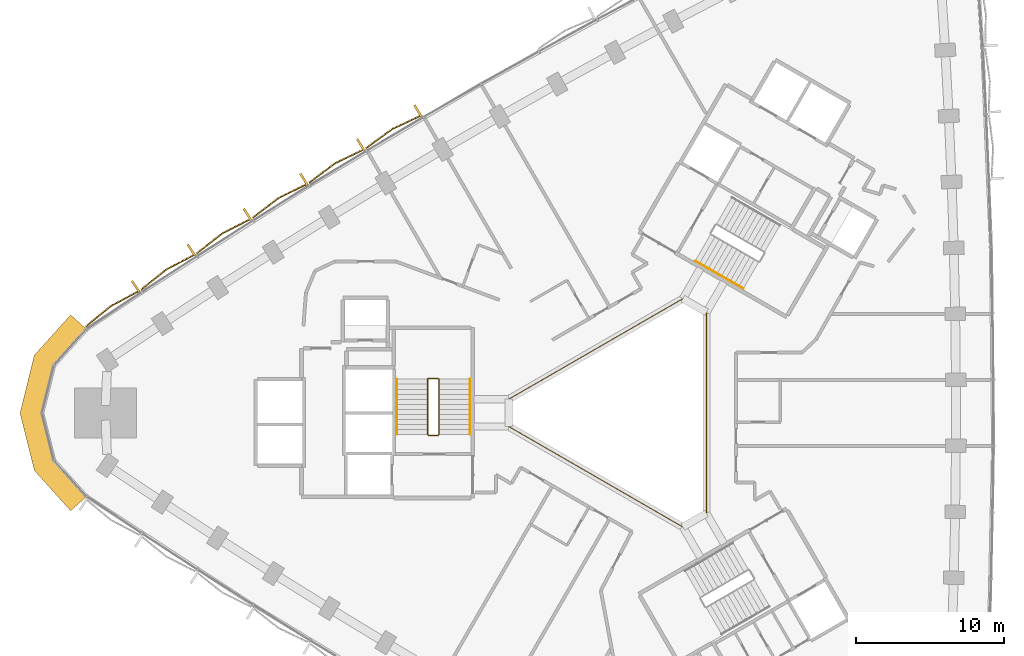
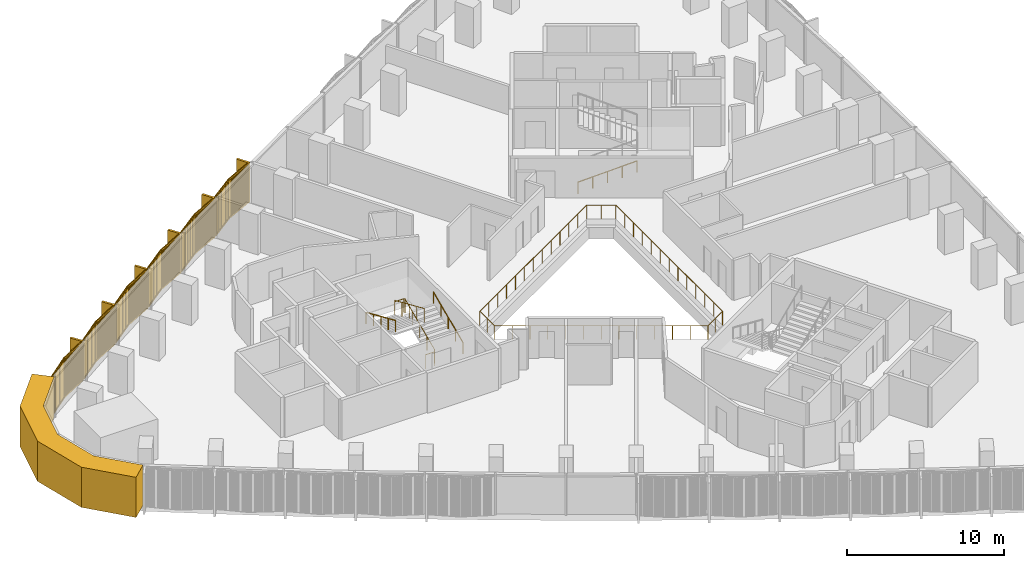
# One storey, part 14 of 15: 7 coverings, 5 railings.
"""IFC4 building model written with IfcOpenShell, lengths in metres."""

from ifc_helpers import new_model, si_unit, direction, frame, frame_2d, origin, origin_2d, place, context, subcontext, project, spatial, polyline, rectangle, circle, outline, extrude, source, transform, mapped, material, layer, layer_set, type_object, element, save


model = new_model("IFC4")

# Units and contexts
model_context = context("Model", 3, precision=1e-05, world=origin(), true_north=direction((0.0, 1.0)))
body_context = subcontext(model_context, "Body", "Model", "MODEL_VIEW")
ifc_project = project(units=[si_unit("LENGTHUNIT", "METRE"), si_unit("AREAUNIT", "SQUARE_METRE"), si_unit("VOLUMEUNIT", "CUBIC_METRE"), si_unit("PLANEANGLEUNIT", "RADIAN"), si_unit("MASSUNIT", "GRAM", prefix="KILO")], contexts=[model_context])

# Site, building, storey
site_placement = place(None, origin())
site = spatial("IfcSite", under=ifc_project, at=site_placement, CompositionType="ELEMENT")
building_placement = place(site_placement, origin())
building = spatial("IfcBuilding", under=site, at=building_placement, Name="Tamra Quay Hotel Tower", CompositionType="ELEMENT")
storey_placement = place(building_placement, frame((0.0, 0.0, 63.800048828125)))
storey = spatial("IfcBuildingStorey", under=building, at=storey_placement, Name="L14", CompositionType="ELEMENT", Elevation=63.800048828125)

# Covering
ifc_material_1 = material(Name="Precast concrete M60 terracotta-coloured", Category="masonry")
ifc_layer = layer(ifc_material_1, 1.449951171875)
ifc_layer_set = layer_set([ifc_layer], Name="CORNER PIER PANEL")
covering_type_1 = type_object("IfcCoveringType", Name="CORNER PIER PANEL", PredefinedType="CLADDING", material=ifc_layer_set)
covering_placement = place(storey_placement, origin())
element("IfcCovering", 1, at=covering_placement, inside=storey, type_object=covering_type_1, Name="Corner pier L14.north-west", PredefinedType="CLADDING", context=body_context, shape_type="SweptSolid", body=[
    extrude(outline(polyline([(-37.001708984375, 5.6669921875), (-38.0791015625, 6.63720703125), (-40.5341796875, 3.91064453125), (-41.509033203125, 0.0), (-40.5341796875, -3.91064453125), (-38.0791015625, -6.63720703125), (-37.001708984375, -5.6669921875), (-39.214599609375, -3.208984375), (-40.0146484375, 0.0), (-39.214599609375, 3.208984375), (-37.001708984375, 5.6669921875)])), origin(), (0.0, 0.0, 1.0), 3.125),
])

# Railings
ifc_material_2 = material(Name="Guard atrium edge 1100")
railing_type_1 = type_object("IfcRailingType", Name="Guard atrium edge 1100", PredefinedType="GUARDRAIL", material=ifc_material_2)
railing_1_placement = place(storey_placement, frame((5.0, -6.81298828125, 0.0)))
element("IfcRailing", 2, at=railing_1_placement, inside=storey, type_object=railing_type_1, Name="G-A", PredefinedType="GUARDRAIL", context=body_context, shape_type="SweptSolid", body=[
    extrude(circle(Radius=0.02392578125, at=origin_2d()), frame((0.0, 0.0, 1.076171875), z_axis=(-0.866194386982, -0.499707198227, 0.0), x_axis=(0.499707198227, -0.866194386982, 0.0)), (0.0, 0.0, 1.0), 1.84716796875),
    extrude(circle(Radius=0.02392578125, at=origin_2d()), frame((-1.60009765625, -0.923095703125, 1.076171875), z_axis=(-0.866044747976, 0.49996649338, 0.0), x_axis=(-0.49996649338, -0.866044747976, 0.0)), (0.0, 0.0, 1.0), 13.625),
    extrude(circle(Radius=0.02392578125, at=origin_2d()), frame((-13.39990234375, 5.888916015625, 1.076171875), z_axis=(0.0, 1.0, 0.0), x_axis=(-1.0, 0.0, 0.0)), (0.0, 0.0, 1.0), 1.84814453125),
    extrude(circle(Radius=0.02392578125, at=origin_2d()), frame((-13.39990234375, 7.737060546875, 1.076171875), z_axis=(0.866044747976, 0.49996649338, 0.0), x_axis=(-0.49996649338, 0.866044747976, 0.0)), (0.0, 0.0, 1.0), 13.625),
    extrude(circle(Radius=0.02392578125, at=origin_2d()), frame((-1.60009765625, 14.549072265625, 1.076171875), z_axis=(0.866194386982, -0.499707198227, 0.0), x_axis=(0.499707198227, 0.866194386982, 0.0)), (0.0, 0.0, 1.0), 1.84716796875),
    extrude(circle(Radius=0.02392578125, at=origin_2d()), frame((0.0, 13.6259765625, 1.076171875), z_axis=(0.0, -1.0, 0.0), x_axis=(1.0, 0.0, 0.0)), (0.0, 0.0, 1.0), 13.6259765625),
    extrude(circle(Radius=0.02099609375, at=origin_2d()), origin(), (0.0, 0.0, 1.0), 1.052001953125),
    extrude(circle(Radius=0.02099609375, at=origin_2d()), frame((-0.800048828125, -0.46142578125, 0.0)), (0.0, 0.0, 1.0), 1.052001953125),
    extrude(circle(Radius=0.02099609375, at=origin_2d()), frame((-1.60009765625, -0.923095703125, 0.0)), (0.0, 0.0, 1.0), 1.052001953125),
    extrude(circle(Radius=0.02099609375, at=origin_2d()), frame((-2.58349609375, -0.35546875, 0.0)), (0.0, 0.0, 1.0), 1.052001953125),
    extrude(circle(Radius=0.02099609375, at=origin_2d()), frame((-3.566650390625, 0.212158203125, 0.0)), (0.0, 0.0, 1.0), 1.052001953125),
    extrude(circle(Radius=0.02099609375, at=origin_2d()), frame((-4.550048828125, 0.77978515625, 0.0)), (0.0, 0.0, 1.0), 1.052001953125),
    extrude(circle(Radius=0.02099609375, at=origin_2d()), frame((-5.533447265625, 1.34765625, 0.0)), (0.0, 0.0, 1.0), 1.052001953125),
    extrude(circle(Radius=0.02099609375, at=origin_2d()), frame((-6.5166015625, 1.915283203125, 0.0)), (0.0, 0.0, 1.0), 1.052001953125),
    extrude(circle(Radius=0.02099609375, at=origin_2d()), frame((-7.5, 2.48291015625, 0.0)), (0.0, 0.0, 1.0), 1.052001953125),
    extrude(circle(Radius=0.02099609375, at=origin_2d()), frame((-8.4833984375, 3.050537109375, 0.0)), (0.0, 0.0, 1.0), 1.052001953125),
    extrude(circle(Radius=0.02099609375, at=origin_2d()), frame((-9.466552734375, 3.6181640625, 0.0)), (0.0, 0.0, 1.0), 1.052001953125),
    extrude(circle(Radius=0.02099609375, at=origin_2d()), frame((-10.449951171875, 4.18603515625, 0.0)), (0.0, 0.0, 1.0), 1.052001953125),
    extrude(circle(Radius=0.02099609375, at=origin_2d()), frame((-11.433349609375, 4.753662109375, 0.0)), (0.0, 0.0, 1.0), 1.052001953125),
    extrude(circle(Radius=0.02099609375, at=origin_2d()), frame((-12.41650390625, 5.3212890625, 0.0)), (0.0, 0.0, 1.0), 1.052001953125),
    extrude(circle(Radius=0.02099609375, at=origin_2d()), frame((-13.39990234375, 5.888916015625, 0.0)), (0.0, 0.0, 1.0), 1.052001953125),
    extrude(circle(Radius=0.02099609375, at=origin_2d()), frame((-13.39990234375, 6.81298828125, 0.0)), (0.0, 0.0, 1.0), 1.052001953125),
    extrude(circle(Radius=0.02099609375, at=origin_2d()), frame((-13.39990234375, 7.737060546875, 0.0)), (0.0, 0.0, 1.0), 1.052001953125),
    extrude(circle(Radius=0.02099609375, at=origin_2d()), frame((-12.41650390625, 8.3046875, 0.0)), (0.0, 0.0, 1.0), 1.052001953125),
    extrude(circle(Radius=0.02099609375, at=origin_2d()), frame((-11.433349609375, 8.872314453125, 0.0)), (0.0, 0.0, 1.0), 1.052001953125),
    extrude(circle(Radius=0.02099609375, at=origin_2d()), frame((-10.449951171875, 9.43994140625, 0.0)), (0.0, 0.0, 1.0), 1.052001953125),
    extrude(circle(Radius=0.02099609375, at=origin_2d()), frame((-9.466552734375, 10.0078125, 0.0)), (0.0, 0.0, 1.0), 1.052001953125),
    extrude(circle(Radius=0.02099609375, at=origin_2d()), frame((-8.4833984375, 10.575439453125, 0.0)), (0.0, 0.0, 1.0), 1.052001953125),
    extrude(circle(Radius=0.02099609375, at=origin_2d()), frame((-7.5, 11.14306640625, 0.0)), (0.0, 0.0, 1.0), 1.052001953125),
    extrude(circle(Radius=0.02099609375, at=origin_2d()), frame((-6.5166015625, 11.710693359375, 0.0)), (0.0, 0.0, 1.0), 1.052001953125),
    extrude(circle(Radius=0.02099609375, at=origin_2d()), frame((-5.533447265625, 12.2783203125, 0.0)), (0.0, 0.0, 1.0), 1.052001953125),
    extrude(circle(Radius=0.02099609375, at=origin_2d()), frame((-4.550048828125, 12.84619140625, 0.0)), (0.0, 0.0, 1.0), 1.052001953125),
    extrude(circle(Radius=0.02099609375, at=origin_2d()), frame((-3.566650390625, 13.413818359375, 0.0)), (0.0, 0.0, 1.0), 1.052001953125),
    extrude(circle(Radius=0.02099609375, at=origin_2d()), frame((-2.58349609375, 13.9814453125, 0.0)), (0.0, 0.0, 1.0), 1.052001953125),
    extrude(circle(Radius=0.02099609375, at=origin_2d()), frame((-1.60009765625, 14.549072265625, 0.0)), (0.0, 0.0, 1.0), 1.052001953125),
    extrude(circle(Radius=0.02099609375, at=origin_2d()), frame((-0.800048828125, 14.08740234375, 0.0)), (0.0, 0.0, 1.0), 1.052001953125),
    extrude(circle(Radius=0.02099609375, at=origin_2d()), frame((0.0, 13.6259765625, 0.0)), (0.0, 0.0, 1.0), 1.052001953125),
    extrude(circle(Radius=0.02099609375, at=origin_2d()), frame((0.0, 12.490478515625, 0.0)), (0.0, 0.0, 1.0), 1.052001953125),
    extrude(circle(Radius=0.02099609375, at=origin_2d()), frame((0.0, 11.35498046875, 0.0)), (0.0, 0.0, 1.0), 1.052001953125),
    extrude(circle(Radius=0.02099609375, at=origin_2d()), frame((0.0, 10.219482421875, 0.0)), (0.0, 0.0, 1.0), 1.052001953125),
    extrude(circle(Radius=0.02099609375, at=origin_2d()), frame((0.0, 9.083984375, 0.0)), (0.0, 0.0, 1.0), 1.052001953125),
    extrude(circle(Radius=0.02099609375, at=origin_2d()), frame((0.0, 7.948486328125, 0.0)), (0.0, 0.0, 1.0), 1.052001953125),
    extrude(circle(Radius=0.02099609375, at=origin_2d()), frame((0.0, 6.81298828125, 0.0)), (0.0, 0.0, 1.0), 1.052001953125),
    extrude(circle(Radius=0.02099609375, at=origin_2d()), frame((0.0, 5.677490234375, 0.0)), (0.0, 0.0, 1.0), 1.052001953125),
    extrude(circle(Radius=0.02099609375, at=origin_2d()), frame((0.0, 4.5419921875, 0.0)), (0.0, 0.0, 1.0), 1.052001953125),
    extrude(circle(Radius=0.02099609375, at=origin_2d()), frame((0.0, 3.406494140625, 0.0)), (0.0, 0.0, 1.0), 1.052001953125),
    extrude(circle(Radius=0.02099609375, at=origin_2d()), frame((0.0, 2.27099609375, 0.0)), (0.0, 0.0, 1.0), 1.052001953125),
    extrude(circle(Radius=0.02099609375, at=origin_2d()), frame((0.0, 1.135498046875, 0.0)), (0.0, 0.0, 1.0), 1.052001953125),
])
ifc_material_3 = material(Name="Stair guard 1100")
railing_type_2 = type_object("IfcRailingType", Name="Stair guard 1100", PredefinedType="GUARDRAIL", material=ifc_material_3)
railing_2_placement = place(storey_placement, frame((-13.84130859375, -1.530029296875, 0.0)))
element("IfcRailing", 3, at=railing_2_placement, inside=storey, type_object=railing_type_2, Name="GR", PredefinedType="GUARDRAIL", context=body_context, shape_type="SweptSolid", body=[
    extrude(circle(Radius=0.02392578125, at=origin_2d()), frame((0.0, 0.0, 1.076171875), z_axis=(1.0, 0.0, 0.0), x_axis=(0.0, 1.0, 0.0)), (0.0, 0.0, 1.0), 0.658935546875),
    extrude(circle(Radius=0.02392578125, at=origin_2d()), frame((0.658935546875, 0.0, 1.076171875), z_axis=(0.301912943143, 0.301912943143, 0.904266083366), x_axis=(-0.707106781187, 0.707106781187, 0.0)), (0.0, 0.0, 1.0), 0.165771484375),
    extrude(circle(Radius=0.02392578125, at=origin_2d()), frame((0.708984375, 0.050048828125, 1.22607421875), z_axis=(0.0, 0.915773634228, 0.401694723457), x_axis=(-1.0, 0.0, 0.0)), (0.0, 0.0, 1.0), 4.10791015625),
    extrude(circle(Radius=0.02392578125, at=origin_2d()), frame((0.708984375, 3.81201171875, 2.8759765625), z_axis=(-0.708833529934, 0.705375805398, 0.0), x_axis=(-0.705375805398, -0.708833529934, 0.0)), (0.0, 0.0, 1.0), 0.070556640625),
    extrude(circle(Radius=0.02392578125, at=origin_2d()), frame((0.658935546875, 3.86181640625, 2.8759765625), z_axis=(-1.0, 0.0, 0.0), x_axis=(0.0, -1.0, 0.0)), (0.0, 0.0, 1.0), 0.658935546875),
    extrude(circle(Radius=0.02392578125, at=origin_2d()), frame((0.0, 3.86181640625, 2.8759765625), z_axis=(-0.302046947789, -0.300573548044, 0.904667443621), x_axis=(0.705375805398, -0.708833529934, 0.0)), (0.0, 0.0, 1.0), 0.165771484375),
    extrude(circle(Radius=0.02392578125, at=origin_2d()), frame((-0.050048828125, 3.81201171875, 3.02587890625), z_axis=(0.0, -0.915795495799, 0.401644880304), x_axis=(1.0, 0.0, 0.0)), (0.0, 0.0, 1.0), 4.10791015625),
    extrude(circle(Radius=0.02099609375, at=origin_2d()), origin(), (0.0, 0.0, 1.0), 1.052001953125),
    extrude(circle(Radius=0.02099609375, at=origin_2d()), frame((0.658935546875, 0.0, 0.0)), (0.0, 0.0, 1.0), 1.052001953125),
    extrude(circle(Radius=0.02099609375, at=origin_2d()), frame((0.708984375, 0.050048828125, 0.14990234375)), (0.0, 0.0, 1.0), 1.052001953125),
    extrude(circle(Radius=0.02099609375, at=origin_2d()), frame((0.708984375, 0.990478515625, 0.5625)), (0.0, 0.0, 1.0), 1.052001953125),
    extrude(circle(Radius=0.02099609375, at=origin_2d()), frame((0.708984375, 1.93115234375, 0.97509765625)), (0.0, 0.0, 1.0), 1.052001953125),
    extrude(circle(Radius=0.02099609375, at=origin_2d()), frame((0.708984375, 2.87158203125, 1.387451171875)), (0.0, 0.0, 1.0), 1.052001953125),
    extrude(circle(Radius=0.02099609375, at=origin_2d()), frame((0.708984375, 3.81201171875, 1.800048828125)), (0.0, 0.0, 1.0), 1.052001953125),
    extrude(circle(Radius=0.02099609375, at=origin_2d()), frame((0.658935546875, 3.86181640625, 1.800048828125)), (0.0, 0.0, 1.0), 1.052001953125),
    extrude(circle(Radius=0.02099609375, at=origin_2d()), frame((0.0, 3.86181640625, 1.800048828125)), (0.0, 0.0, 1.0), 1.052001953125),
    extrude(circle(Radius=0.02099609375, at=origin_2d()), frame((-0.050048828125, 3.81201171875, 1.949951171875)), (0.0, 0.0, 1.0), 1.052001953125),
    extrude(circle(Radius=0.02099609375, at=origin_2d()), frame((-0.050048828125, 2.87158203125, 2.3623046875)), (0.0, 0.0, 1.0), 1.052001953125),
    extrude(circle(Radius=0.02099609375, at=origin_2d()), frame((-0.050048828125, 1.93115234375, 2.77490234375)), (0.0, 0.0, 1.0), 1.052001953125),
    extrude(circle(Radius=0.02099609375, at=origin_2d()), frame((-0.050048828125, 0.990478515625, 3.1875)), (0.0, 0.0, 1.0), 1.052001953125),
    extrude(circle(Radius=0.02099609375, at=origin_2d()), frame((-0.050048828125, 0.050048828125, 3.599853515625)), (0.0, 0.0, 1.0), 1.052001953125),
])
ifc_material_4 = material(Name="Stair handrail 900")
railing_type_3 = type_object("IfcRailingType", Name="Stair handrail 900", PredefinedType="HANDRAIL", material=ifc_material_4)
railing_3_placement = place(storey_placement, frame((-11.0322265625, -1.47998046875, 0.14990234375)))
element("IfcRailing", 4, at=railing_3_placement, inside=storey, type_object=railing_type_3, Name="HR", PredefinedType="HANDRAIL", context=body_context, shape_type="SweptSolid", body=[
    extrude(circle(Radius=0.02392578125, at=origin_2d()), frame((0.0, 0.0, 0.8759765625), z_axis=(0.0, 0.915773634228, 0.401694723457), x_axis=(-1.0, 0.0, 0.0)), (0.0, 0.0, 1.0), 4.10791015625),
    extrude(circle(Radius=0.02099609375, at=origin_2d()), origin(), (0.0, 0.0, 1.0), 0.851806640625),
    extrude(circle(Radius=0.02099609375, at=origin_2d()), frame((0.0, 0.9404296875, 0.41259765625)), (0.0, 0.0, 1.0), 0.851806640625),
    extrude(circle(Radius=0.02099609375, at=origin_2d()), frame((0.0, 1.880859375, 0.8251953125)), (0.0, 0.0, 1.0), 0.851806640625),
    extrude(circle(Radius=0.02099609375, at=origin_2d()), frame((0.0, 2.821533203125, 1.237548828125)), (0.0, 0.0, 1.0), 0.851806640625),
    extrude(circle(Radius=0.02099609375, at=origin_2d()), frame((0.0, 3.761962890625, 1.650146484375)), (0.0, 0.0, 1.0), 0.851806640625),
])
railing_4_placement = place(storey_placement, frame((-15.9912109375, 2.281982421875, 1.949951171875)))
element("IfcRailing", 5, at=railing_4_placement, inside=storey, type_object=railing_type_3, Name="HR", PredefinedType="HANDRAIL", context=body_context, shape_type="SweptSolid", body=[
    extrude(circle(Radius=0.02392578125, at=origin_2d()), frame((0.0, 0.0, 0.8759765625), z_axis=(0.0, -0.915795495799, 0.401644880304), x_axis=(1.0, 0.0, 0.0)), (0.0, 0.0, 1.0), 4.10791015625),
    extrude(circle(Radius=0.02099609375, at=origin_2d()), origin(), (0.0, 0.0, 1.0), 0.851806640625),
    extrude(circle(Radius=0.02099609375, at=origin_2d()), frame((0.0, -0.9404296875, 0.41259765625)), (0.0, 0.0, 1.0), 0.851806640625),
    extrude(circle(Radius=0.02099609375, at=origin_2d()), frame((0.0, -1.880859375, 0.824951171875)), (0.0, 0.0, 1.0), 0.851806640625),
    extrude(circle(Radius=0.02099609375, at=origin_2d()), frame((0.0, -2.821533203125, 1.2373046875)), (0.0, 0.0, 1.0), 0.851806640625),
    extrude(circle(Radius=0.02099609375, at=origin_2d()), frame((0.0, -3.761962890625, 1.64990234375)), (0.0, 0.0, 1.0), 0.851806640625),
])
railing_5_placement = place(storey_placement, frame((4.234375, 10.294189453125, 0.14990234375)))
element("IfcRailing", 6, at=railing_5_placement, inside=storey, type_object=railing_type_3, Name="HR", PredefinedType="HANDRAIL", context=body_context, shape_type="SweptSolid", body=[
    extrude(circle(Radius=0.02392578125, at=origin_2d()), frame((0.0, 0.0, 0.8759765625), z_axis=(0.793103162556, -0.457854384738, 0.401692339881), x_axis=(0.499964013922, 0.86604617936, 0.0)), (0.0, 0.0, 1.0), 4.10791015625),
    extrude(circle(Radius=0.02099609375, at=origin_2d()), origin(), (0.0, 0.0, 1.0), 0.851806640625),
    extrude(circle(Radius=0.02099609375, at=origin_2d()), frame((0.814453125, -0.47021484375, 0.41259765625)), (0.0, 0.0, 1.0), 0.851806640625),
    extrude(circle(Radius=0.02099609375, at=origin_2d()), frame((1.62890625, -0.9404296875, 0.8251953125)), (0.0, 0.0, 1.0), 0.851806640625),
    extrude(circle(Radius=0.02099609375, at=origin_2d()), frame((2.443603515625, -1.41064453125, 1.237548828125)), (0.0, 0.0, 1.0), 0.851806640625),
    extrude(circle(Radius=0.02099609375, at=origin_2d()), frame((3.258056640625, -1.880859375, 1.650146484375)), (0.0, 0.0, 1.0), 0.851806640625),
])

# Coverings
ifc_material_5 = material(Name="Terracotta baguette extruded", Category="masonry")
covering_type_2 = type_object("IfcCoveringType", Name="BAGUETTE SCREEN NW-V H3125", PredefinedType="USERDEFINED", material=ifc_material_5)
shared_shape = source(origin(), body_context, "Body", "SweptSolid", [
    extrude(rectangle(XDim=2.212646484375, YDim=0.06005859375, at=frame_2d((1.1064453125, 0.030029296875))), frame((-2.208251953125, -0.0576171875, -0.1201171875), z_axis=(0.0, 0.0, 1.0), x_axis=(0.995396198367, -0.09584575252, 0.0)), (0.0, 0.0, 1.0), 0.1201171875),
    extrude(rectangle(XDim=2.212646484375, YDim=0.06005859375, at=frame_2d((1.1064453125, 0.030029296875))), frame((-2.208251953125, -0.0576171875, -3.125), z_axis=(0.0, 0.0, 1.0), x_axis=(0.995396198367, -0.09584575252, 0.0)), (0.0, 0.0, 1.0), 0.1201171875),
    extrude(rectangle(XDim=0.070068359375, YDim=0.10009765625, at=frame_2d((0.03515625, 0.050048828125))), frame((-2.1875, -0.1328125, -3.06494140625)), (0.0, 0.0, 1.0), 3.0048828125),
    extrude(rectangle(XDim=0.070068359375, YDim=0.10009765625, at=frame_2d((0.03515625, 0.050048828125))), frame((-2.08740234375, -0.142578125, -3.06494140625)), (0.0, 0.0, 1.0), 3.0048828125),
    extrude(rectangle(XDim=0.070068359375, YDim=0.10009765625, at=frame_2d((0.03515625, 0.050048828125))), frame((-1.9873046875, -0.152099609375, -3.06494140625)), (0.0, 0.0, 1.0), 3.0048828125),
    extrude(rectangle(XDim=0.070068359375, YDim=0.10009765625, at=frame_2d((0.03515625, 0.050048828125))), frame((-1.88720703125, -0.16162109375, -3.06494140625)), (0.0, 0.0, 1.0), 3.0048828125),
    extrude(rectangle(XDim=0.070068359375, YDim=0.10009765625, at=frame_2d((0.03515625, 0.050048828125))), frame((-1.787109375, -0.17138671875, -3.06494140625)), (0.0, 0.0, 1.0), 3.0048828125),
    extrude(rectangle(XDim=0.070068359375, YDim=0.10009765625, at=frame_2d((0.03515625, 0.050048828125))), frame((-1.686767578125, -0.180908203125, -3.06494140625)), (0.0, 0.0, 1.0), 3.0048828125),
    extrude(rectangle(XDim=0.070068359375, YDim=0.10009765625, at=frame_2d((0.03515625, 0.050048828125))), frame((-1.586669921875, -0.190673828125, -3.06494140625)), (0.0, 0.0, 1.0), 3.0048828125),
    extrude(rectangle(XDim=0.070068359375, YDim=0.10009765625, at=frame_2d((0.03515625, 0.050048828125))), frame((-1.486572265625, -0.2001953125, -3.06494140625)), (0.0, 0.0, 1.0), 3.0048828125),
    extrude(rectangle(XDim=0.070068359375, YDim=0.10009765625, at=frame_2d((0.03515625, 0.050048828125))), frame((-1.386474609375, -0.2099609375, -3.06494140625)), (0.0, 0.0, 1.0), 3.0048828125),
    extrude(rectangle(XDim=0.070068359375, YDim=0.10009765625, at=frame_2d((0.03515625, 0.050048828125))), frame((-1.286376953125, -0.219482421875, -3.06494140625)), (0.0, 0.0, 1.0), 3.0048828125),
    extrude(rectangle(XDim=0.070068359375, YDim=0.10009765625, at=frame_2d((0.03515625, 0.050048828125))), frame((-1.186279296875, -0.229248046875, -3.06494140625)), (0.0, 0.0, 1.0), 3.0048828125),
    extrude(rectangle(XDim=0.070068359375, YDim=0.10009765625, at=frame_2d((0.03515625, 0.050048828125))), frame((-1.086181640625, -0.23876953125, -3.06494140625)), (0.0, 0.0, 1.0), 3.0048828125),
    extrude(rectangle(XDim=0.070068359375, YDim=0.10009765625, at=frame_2d((0.03515625, 0.050048828125))), frame((-0.986083984375, -0.24853515625, -3.06494140625)), (0.0, 0.0, 1.0), 3.0048828125),
    extrude(rectangle(XDim=0.070068359375, YDim=0.10009765625, at=frame_2d((0.03515625, 0.050048828125))), frame((-0.885986328125, -0.258056640625, -3.06494140625)), (0.0, 0.0, 1.0), 3.0048828125),
    extrude(rectangle(XDim=0.070068359375, YDim=0.10009765625, at=frame_2d((0.03515625, 0.050048828125))), frame((-0.785888671875, -0.267822265625, -3.06494140625)), (0.0, 0.0, 1.0), 3.0048828125),
    extrude(rectangle(XDim=0.070068359375, YDim=0.10009765625, at=frame_2d((0.03515625, 0.050048828125))), frame((-0.685791015625, -0.27734375, -3.06494140625)), (0.0, 0.0, 1.0), 3.0048828125),
    extrude(rectangle(XDim=0.070068359375, YDim=0.10009765625, at=frame_2d((0.03515625, 0.050048828125))), frame((-0.585693359375, -0.287109375, -3.06494140625)), (0.0, 0.0, 1.0), 3.0048828125),
    extrude(rectangle(XDim=0.070068359375, YDim=0.10009765625, at=frame_2d((0.03515625, 0.050048828125))), frame((-0.485595703125, -0.296630859375, -3.06494140625)), (0.0, 0.0, 1.0), 3.0048828125),
    extrude(rectangle(XDim=0.070068359375, YDim=0.10009765625, at=frame_2d((0.03515625, 0.050048828125))), frame((-0.385498046875, -0.306396484375, -3.06494140625)), (0.0, 0.0, 1.0), 3.0048828125),
    extrude(rectangle(XDim=0.070068359375, YDim=0.10009765625, at=frame_2d((0.03515625, 0.050048828125))), frame((-0.285400390625, -0.31591796875, -3.06494140625)), (0.0, 0.0, 1.0), 3.0048828125),
    extrude(rectangle(XDim=0.070068359375, YDim=0.10009765625, at=frame_2d((0.03515625, 0.050048828125))), frame((-0.18505859375, -0.32568359375, -3.06494140625)), (0.0, 0.0, 1.0), 3.0048828125),
    extrude(rectangle(XDim=0.070068359375, YDim=0.10009765625, at=frame_2d((0.03515625, 0.050048828125))), frame((-0.0849609375, -0.335205078125, -3.06494140625)), (0.0, 0.0, 1.0), 3.0048828125),
    extrude(rectangle(XDim=2.212646484375, YDim=0.06005859375, at=frame_2d((1.1064453125, 0.030029296875))), frame((0.005859375, -0.269775390625, -0.1201171875), z_axis=(0.0, 0.0, 1.0), x_axis=(0.995396198367, 0.09584575252, 0.0)), (0.0, 0.0, 1.0), 0.1201171875),
    extrude(rectangle(XDim=2.212646484375, YDim=0.06005859375, at=frame_2d((1.1064453125, 0.030029296875))), frame((0.005859375, -0.269775390625, -3.125), z_axis=(0.0, 0.0, 1.0), x_axis=(0.995396198367, 0.09584575252, 0.0)), (0.0, 0.0, 1.0), 0.1201171875),
    extrude(rectangle(XDim=0.070068359375, YDim=0.10009765625, at=frame_2d((0.03515625, 0.050048828125))), frame((0.01513671875, -0.335205078125, -3.06494140625)), (0.0, 0.0, 1.0), 3.0048828125),
    extrude(rectangle(XDim=0.070068359375, YDim=0.10009765625, at=frame_2d((0.03515625, 0.050048828125))), frame((0.115234375, -0.32568359375, -3.06494140625)), (0.0, 0.0, 1.0), 3.0048828125),
    extrude(rectangle(XDim=0.070068359375, YDim=0.10009765625, at=frame_2d((0.03515625, 0.050048828125))), frame((0.21533203125, -0.31591796875, -3.06494140625)), (0.0, 0.0, 1.0), 3.0048828125),
    extrude(rectangle(XDim=0.070068359375, YDim=0.10009765625, at=frame_2d((0.03515625, 0.050048828125))), frame((0.3154296875, -0.306396484375, -3.06494140625)), (0.0, 0.0, 1.0), 3.0048828125),
    extrude(rectangle(XDim=0.070068359375, YDim=0.10009765625, at=frame_2d((0.03515625, 0.050048828125))), frame((0.41552734375, -0.296630859375, -3.06494140625)), (0.0, 0.0, 1.0), 3.0048828125),
    extrude(rectangle(XDim=0.070068359375, YDim=0.10009765625, at=frame_2d((0.03515625, 0.050048828125))), frame((0.515625, -0.287109375, -3.06494140625)), (0.0, 0.0, 1.0), 3.0048828125),
    extrude(rectangle(XDim=0.070068359375, YDim=0.10009765625, at=frame_2d((0.03515625, 0.050048828125))), frame((0.61572265625, -0.27734375, -3.06494140625)), (0.0, 0.0, 1.0), 3.0048828125),
    extrude(rectangle(XDim=0.070068359375, YDim=0.10009765625, at=frame_2d((0.03515625, 0.050048828125))), frame((0.7158203125, -0.267822265625, -3.06494140625)), (0.0, 0.0, 1.0), 3.0048828125),
    extrude(rectangle(XDim=0.070068359375, YDim=0.10009765625, at=frame_2d((0.03515625, 0.050048828125))), frame((0.81591796875, -0.258056640625, -3.06494140625)), (0.0, 0.0, 1.0), 3.0048828125),
    extrude(rectangle(XDim=0.070068359375, YDim=0.10009765625, at=frame_2d((0.03515625, 0.050048828125))), frame((0.916015625, -0.24853515625, -3.06494140625)), (0.0, 0.0, 1.0), 3.0048828125),
    extrude(rectangle(XDim=0.070068359375, YDim=0.10009765625, at=frame_2d((0.03515625, 0.050048828125))), frame((1.01611328125, -0.23876953125, -3.06494140625)), (0.0, 0.0, 1.0), 3.0048828125),
    extrude(rectangle(XDim=0.070068359375, YDim=0.10009765625, at=frame_2d((0.03515625, 0.050048828125))), frame((1.1162109375, -0.229248046875, -3.06494140625)), (0.0, 0.0, 1.0), 3.0048828125),
    extrude(rectangle(XDim=0.070068359375, YDim=0.10009765625, at=frame_2d((0.03515625, 0.050048828125))), frame((1.21630859375, -0.219482421875, -3.06494140625)), (0.0, 0.0, 1.0), 3.0048828125),
    extrude(rectangle(XDim=0.070068359375, YDim=0.10009765625, at=frame_2d((0.03515625, 0.050048828125))), frame((1.316650390625, -0.2099609375, -3.06494140625)), (0.0, 0.0, 1.0), 3.0048828125),
    extrude(rectangle(XDim=0.070068359375, YDim=0.10009765625, at=frame_2d((0.03515625, 0.050048828125))), frame((1.416748046875, -0.2001953125, -3.06494140625)), (0.0, 0.0, 1.0), 3.0048828125),
    extrude(rectangle(XDim=0.070068359375, YDim=0.10009765625, at=frame_2d((0.03515625, 0.050048828125))), frame((1.516845703125, -0.190673828125, -3.06494140625)), (0.0, 0.0, 1.0), 3.0048828125),
    extrude(rectangle(XDim=0.070068359375, YDim=0.10009765625, at=frame_2d((0.03515625, 0.050048828125))), frame((1.616943359375, -0.180908203125, -3.06494140625)), (0.0, 0.0, 1.0), 3.0048828125),
    extrude(rectangle(XDim=0.070068359375, YDim=0.10009765625, at=frame_2d((0.03515625, 0.050048828125))), frame((1.717041015625, -0.17138671875, -3.06494140625)), (0.0, 0.0, 1.0), 3.0048828125),
    extrude(rectangle(XDim=0.070068359375, YDim=0.10009765625, at=frame_2d((0.03515625, 0.050048828125))), frame((1.817138671875, -0.16162109375, -3.06494140625)), (0.0, 0.0, 1.0), 3.0048828125),
    extrude(rectangle(XDim=0.070068359375, YDim=0.10009765625, at=frame_2d((0.03515625, 0.050048828125))), frame((1.917236328125, -0.152099609375, -3.06494140625)), (0.0, 0.0, 1.0), 3.0048828125),
    extrude(rectangle(XDim=0.070068359375, YDim=0.10009765625, at=frame_2d((0.03515625, 0.050048828125))), frame((2.017333984375, -0.142578125, -3.06494140625)), (0.0, 0.0, 1.0), 3.0048828125),
    extrude(rectangle(XDim=0.070068359375, YDim=0.10009765625, at=frame_2d((0.03515625, 0.050048828125))), frame((2.117431640625, -0.1328125, -3.06494140625)), (0.0, 0.0, 1.0), 3.0048828125),
    extrude(rectangle(XDim=0.14990234375, YDim=0.902099609375, at=frame_2d((0.074951171875, 0.451171875))), frame((-2.202392578125, -0.89990234375, -3.125)), (0.0, 0.0, 1.0), 3.125),
])
for number, where, z_axis, x_axis, name in (
    (7, (-16.15771484375, 18.989013671875, 3.125), (0.0, 0.0, 1.0), (-0.860556647162, -0.509354745757, 0.0), "Baguette screen L14.NW.f07"),
    (8, (-20.01708984375, 16.67626953125, 3.125), (0.0, 0.0, 1.0), (-0.85499355735, -0.51863861878, 0.0), "Baguette screen L14.NW.f08"),
    (9, (-23.851318359375, 14.322021484375, 3.125), (0.0, 0.0, 1.0), (-0.849331223164, -0.527860278254, 0.0), "Baguette screen L14.NW.f09"),
    (10, (-27.6591796875, 11.9267578125, 3.125), (0.0, 0.0, 1.0), (-0.84357098627, -0.537017682319, 0.0), "Baguette screen L14.NW.f10"),
    (11, (-31.44140625, 9.490234375, 3.125), (0.0, 0.0, 1.0), (-0.837727846152, -0.546087956086, 0.0), "Baguette screen L14.NW.f11"),
    (12, (-35.197021484375, 7.01318359375, 3.125), (0.0, 0.0, 1.0), (-0.831797967949, -0.555078499418, 0.0), "Baguette screen L14.NW.f12"),
):
    element("IfcCovering", number, at=place(storey_placement, frame(where, z_axis=z_axis, x_axis=x_axis)), inside=storey, type_object=covering_type_2, Name=name, ObjectType="BAGUETTE SCREEN", PredefinedType="USERDEFINED", context=body_context, shape_type="MappedRepresentation", body=[
        mapped(shared_shape, transform((0.0, 0.0, 0.0), scale=1.0)),
    ])

save(model, "model.ifc")
